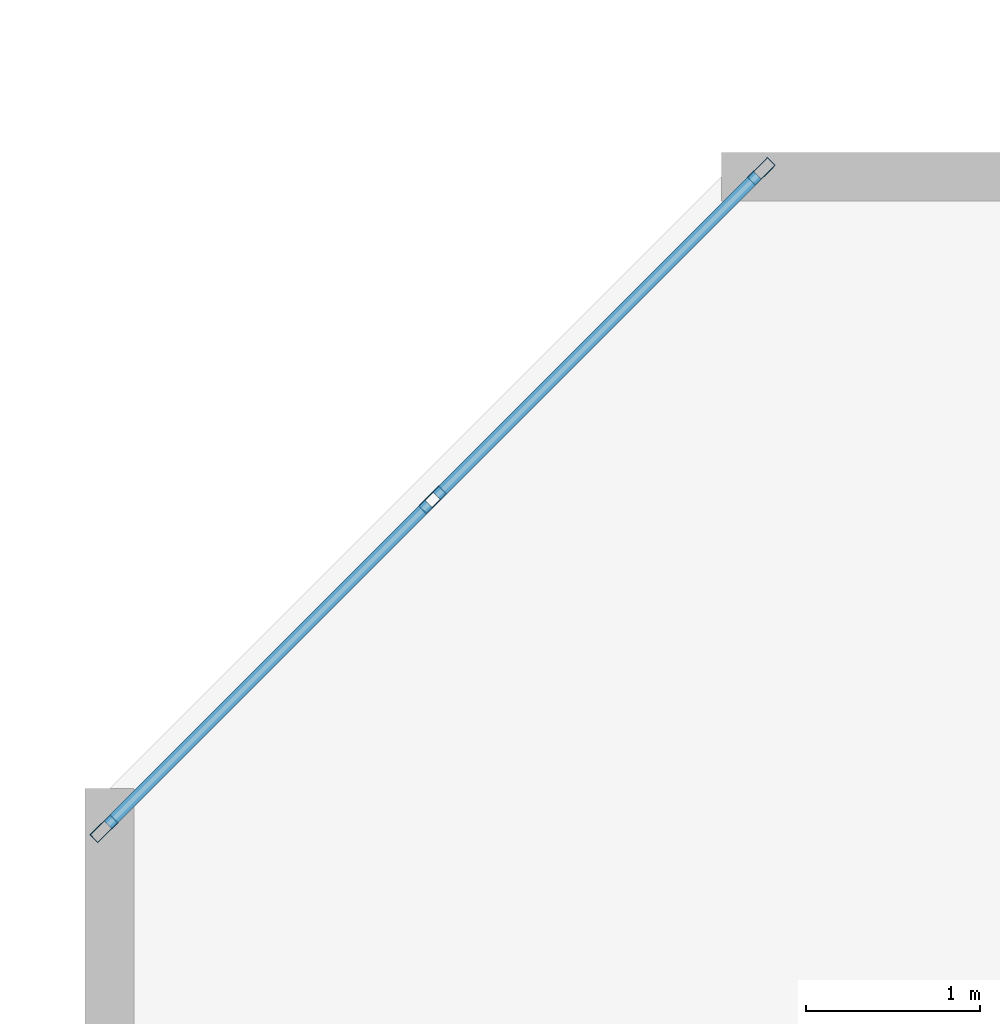
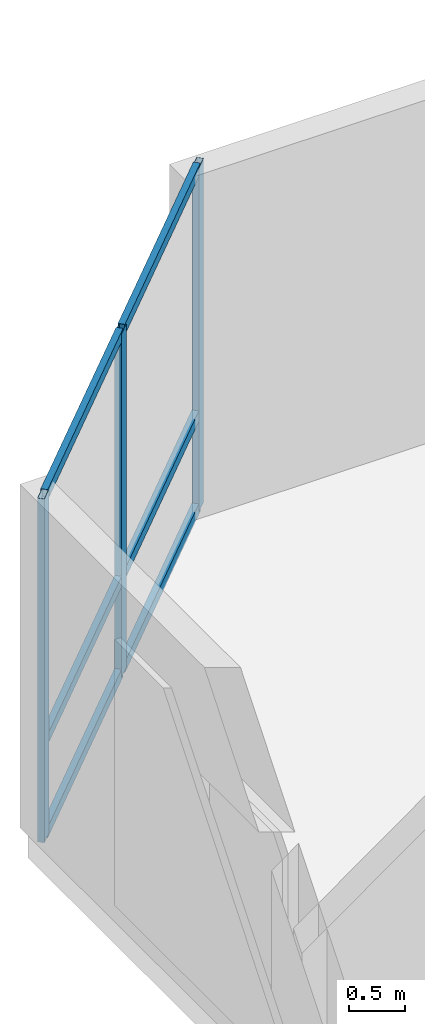
# One storey, part 2 of 10: 9 members, 1 element without a shape of its own.
"""IFC4 building model written with IfcOpenShell, lengths in metres."""

import ifcopenshell
import ifcopenshell.guid

model = None  # the IFC model being written
_history = None  # IfcOwnerHistory: only IFC2X3 demands one
_inside = {}  # id of a spatial element -> (the spatial element, [elements in it])
_under = {}  # id of a project, library or spatial element -> (it, [spatial elements below it])
_declared = {}  # id of a project -> (the project, [libraries it declares])
_typed = {}  # id of a type object -> (the type object, [elements of that type])
_made_of = {}  # id of a material, layer set ... -> (it, [elements and type objects made of it])


def new_model(schema):
    """Start an empty IFC model of exactly this schema.

    Asked for "IFC4X3", IfcOpenShell would pick the latest addendum, in which some entities
    have other attributes; the version numbers below select the first issue.
    IFC2X3 requires an IfcOwnerHistory on every rooted entity: one is made here for all.
    """
    global model, _history
    if schema == "IFC4X3":
        model = ifcopenshell.file(schema_version=(4, 3, 0, 0))
    else:
        model = ifcopenshell.file(schema=schema)
    _inside.clear()
    _under.clear()
    _declared.clear()
    _typed.clear()
    _made_of.clear()
    _history = None
    if model.schema == "IFC2X3":
        org = make("IfcOrganization", Name="unknown")
        user = make(
            "IfcPersonAndOrganization",
            ThePerson=make("IfcPerson", FamilyName="unknown"),
            TheOrganization=org,
        )
        app = make(
            "IfcApplication",
            ApplicationDeveloper=org,
            Version="unknown",
            ApplicationFullName="unknown",
            ApplicationIdentifier="unknown",
        )
        _history = make(
            "IfcOwnerHistory",
            OwningUser=user,
            OwningApplication=app,
            ChangeAction="ADDED",
            CreationDate=0,
        )
    return model


def make(cls, **values):
    """One entity of the class cls with the attributes given. An attribute that is None is left unset."""
    return model.create_entity(
        cls, **{name: value for name, value in values.items() if value is not None}
    )


def rooted(cls, **values):
    """An entity with a GlobalId (a new one), such as an element, a storey or a relation."""
    return make(cls, GlobalId=ifcopenshell.guid.new(), OwnerHistory=_history, **values)


def si_unit(unit_type, name, prefix=None):
    """IfcSIUnit, for example si_unit("LENGTHUNIT", "METRE", prefix="MILLI")."""
    return make("IfcSIUnit", UnitType=unit_type, Prefix=prefix, Name=name)


def assignment(units):
    """IfcUnitAssignment: the units of a project."""
    return None if units is None else make("IfcUnitAssignment", Units=units)


def point(xyz):
    """IfcCartesianPoint."""
    return None if xyz is None else make("IfcCartesianPoint", Coordinates=xyz)


def direction(xyz):
    """IfcDirection."""
    return None if xyz is None else make("IfcDirection", DirectionRatios=xyz)


def frame(location, z_axis=None, x_axis=None):
    """IfcAxis2Placement3D, a coordinate frame: its origin and axes. An axis left out is left unset."""
    return make(
        "IfcAxis2Placement3D",
        Location=point(location),
        Axis=direction(z_axis),
        RefDirection=direction(x_axis),
    )


def frame_2d(location, x_axis=None):
    """IfcAxis2Placement2D, a coordinate frame in the plane: its origin and x axis."""
    return make(
        "IfcAxis2Placement2D", Location=point(location), RefDirection=direction(x_axis)
    )


def origin():
    """The frame at (0, 0, 0) with its axes left unset."""
    return frame((0.0, 0.0, 0.0))


def origin_2d():
    """The frame at (0, 0) in the plane with its x axis left unset."""
    return frame_2d((0.0, 0.0))


def place(relative_to, where):
    """IfcLocalPlacement: puts the frame where relative to a parent placement (None: the world)."""
    return make(
        "IfcLocalPlacement", PlacementRelTo=relative_to, RelativePlacement=where
    )


def context(
    kind, dimensions, precision=None, world=None, true_north=None, identifier=None
):
    """IfcGeometricRepresentationContext, for example the 3D "Model" context."""
    return make(
        "IfcGeometricRepresentationContext",
        ContextIdentifier=identifier,
        ContextType=kind,
        CoordinateSpaceDimension=dimensions,
        Precision=precision,
        WorldCoordinateSystem=world,
        TrueNorth=true_north,
    )


def subcontext(parent, identifier, kind, view, scale=None):
    """IfcGeometricRepresentationSubContext, for example "Body" below "Model"."""
    return make(
        "IfcGeometricRepresentationSubContext",
        ContextIdentifier=identifier,
        ContextType=kind,
        ParentContext=parent,
        TargetScale=scale,
        TargetView=view,
    )


def project(units=None, contexts=None):
    """IfcProject with its units and contexts."""
    return rooted(
        "IfcProject",
        Name="project",
        RepresentationContexts=contexts,
        UnitsInContext=assignment(units),
    )


def spatial(cls, under=None, at=None, **own):
    """A site, building, storey or space (cls), placed at a placement, below another one or the project."""
    s = rooted(cls, ObjectPlacement=at, **own)
    if under is not None:
        _under.setdefault(under.id(), (under, []))[1].append(s)
    return s


def profile(cls, at=None, kind="AREA", **sizes):
    """A parametric profile (cls). Its sizes go by their IFC names, for example OverallWidth=200.0."""
    return make(cls, ProfileType=kind, Position=at, **sizes)


def hollow_rectangle(**sizes):
    """IfcRectangleHollowProfileDef."""
    return profile("IfcRectangleHollowProfileDef", **sizes)


def extrude(swept, where, along, depth):
    """IfcExtrudedAreaSolid: the profile swept, set in the frame where, extruded along a direction by depth."""
    return make(
        "IfcExtrudedAreaSolid",
        SweptArea=swept,
        Position=where,
        ExtrudedDirection=direction(along),
        Depth=depth,
    )


def shape(context_of_items, identifier, shape_type, items):
    """IfcShapeRepresentation: the items that make up one representation, for example the "Body"."""
    return make(
        "IfcShapeRepresentation",
        ContextOfItems=context_of_items,
        RepresentationIdentifier=identifier,
        RepresentationType=shape_type,
        Items=items,
    )


def material(Name=None, Category=None):
    """IfcMaterial."""
    return make("IfcMaterial", Name=Name, Category=Category)


def layer(
    of_material, thickness, ventilated=None, Name=None, Category=None, Priority=None
):
    """IfcMaterialLayer: one layer of a wall or slab, of a material (None: an air gap)."""
    return make(
        "IfcMaterialLayer",
        Material=of_material,
        LayerThickness=thickness,
        IsVentilated=ventilated,
        Name=Name,
        Category=Category,
        Priority=Priority,
    )


def layer_set(layers, Name=None):
    """IfcMaterialLayerSet."""
    return make("IfcMaterialLayerSet", MaterialLayers=layers, LayerSetName=Name)


def material_profile(
    of_material, cross_section, Name=None, Category=None, Priority=None
):
    """IfcMaterialProfile: a cross section and its material."""
    return make(
        "IfcMaterialProfile",
        Name=Name,
        Material=of_material,
        Profile=cross_section,
        Priority=Priority,
        Category=Category,
    )


def profile_set(profiles, Name=None, composite=None):
    """IfcMaterialProfileSet."""
    return make(
        "IfcMaterialProfileSet",
        Name=Name,
        MaterialProfiles=profiles,
        CompositeProfile=composite,
    )


def made_of(thing, what):
    """Note that an element or type object is made of a material, layer set ...; save() writes the relation."""
    if what is not None:
        _made_of.setdefault(what.id(), (what, []))[1].append(thing)
    return thing


def type_object(cls, material=None, **own):
    """A type object (cls), such as IfcWallType, which elements share."""
    return made_of(rooted(cls, **own), material)


def element(
    cls,
    number,
    at=None,
    inside=None,
    cuts=None,
    type_object=None,
    material=None,
    context=None,
    identifier="Body",
    shape_type=None,
    held_by="IfcProductDefinitionShape",
    body=None,
    shapes=None,
    **own,
):
    """One element of the class cls, such as IfcWall. Its Tag is "e" and its number.

    at: its placement. inside: the storey or other place that contains it. cuts: it is an
    opening in that element (IfcRelVoidsElement). A single representation is given by context,
    identifier, shape_type and body (its items); several are given by shapes. held_by: the class
    of the entity that holds the representations. save() writes the other relations.
    """
    e = rooted(cls, Tag="e%d" % number, ObjectPlacement=at, **own)
    if body is not None:
        shapes = [shape(context, identifier, shape_type, body)]
    if shapes is not None:
        e.Representation = make(held_by, Representations=shapes)
    if inside is not None:
        _inside.setdefault(inside.id(), (inside, []))[1].append(e)
    if cuts is not None:
        rooted(
            "IfcRelVoidsElement", RelatingBuildingElement=cuts, RelatedOpeningElement=e
        )
    if type_object is not None:
        _typed.setdefault(type_object.id(), (type_object, []))[1].append(e)
    return made_of(e, material)


def aggregate(whole, parts):
    """IfcRelAggregates: a whole, such as a stair, and the parts it consists of."""
    return rooted("IfcRelAggregates", RelatingObject=whole, RelatedObjects=parts)


def save(model, path):
    """Write the relations noted so far, then the file.

    IfcRelAggregates (storeys below a building ...), IfcRelContainedInSpatialStructure (elements
    in a storey), IfcRelDefinesByType, IfcRelAssociatesMaterial and IfcRelDeclares: one each for
    every whole, place, type object, material and project.
    """
    for whole, parts in _under.values():
        aggregate(whole, parts)
    for where, things in _inside.values():
        rooted(
            "IfcRelContainedInSpatialStructure",
            RelatedElements=things,
            RelatingStructure=where,
        )
    for kind, things in _typed.values():
        rooted("IfcRelDefinesByType", RelatedObjects=things, RelatingType=kind)
    for what, things in _made_of.values():
        rooted("IfcRelAssociatesMaterial", RelatedObjects=things, RelatingMaterial=what)
    for by, libraries in _declared.values():
        rooted("IfcRelDeclares", RelatingContext=by, RelatedDefinitions=libraries)
    model.write(path)


model = new_model("IFC4")

# Units and contexts
model_context = context("Model", 3, precision=1e-05, world=origin(), true_north=direction((0.0, 1.0)))
body_context = subcontext(model_context, "Body", "Model", "MODEL_VIEW")
ifc_project = project(units=[si_unit("LENGTHUNIT", "METRE"), si_unit("AREAUNIT", "SQUARE_METRE"), si_unit("VOLUMEUNIT", "CUBIC_METRE"), si_unit("PLANEANGLEUNIT", "RADIAN"), si_unit("MASSUNIT", "GRAM", prefix="KILO")], contexts=[model_context])

# Site, building, storey
site_placement = place(None, origin())
site = spatial("IfcSite", under=ifc_project, at=site_placement, CompositionType="ELEMENT")
building_placement = place(site_placement, origin())
building = spatial("IfcBuilding", under=site, at=building_placement, Name="Kestravale Grand Hotel", CompositionType="ELEMENT")
storey_placement = place(building_placement, frame((0.0, 0.0, 277.39990234375)))
storey = spatial("IfcBuildingStorey", under=building, at=storey_placement, Name="L69", CompositionType="ELEMENT", Elevation=277.39990234375)

# Curtain wall, members
ifc_material_1 = material(Name="Thermally broken champagne-bronze aluminium and low-E glazing", Category="aluminium")
ifc_layer = layer(ifc_material_1, 0.179931640625)
ifc_layer_set = layer_set([ifc_layer], Name="CW-Z4")
curtain_wall_type = type_object("IfcCurtainWallType", Name="CW-Z4", PredefinedType="NOTDEFINED", material=ifc_layer_set)
curtain_wall_placement = place(storey_placement, origin())
curtain_wall = element("IfcCurtainWall", 1, at=curtain_wall_placement, inside=storey, type_object=curtain_wall_type, Name="L69 unitised curtain wall 18", PredefinedType="NOTDEFINED")
ifc_material_2 = material(Name="Aluminium 6063-T6 anodised", Category="aluminium")
ifc_material_profile_1 = material_profile(ifc_material_2, hollow_rectangle(XDim=0.06494140625, YDim=0.1650390625, WallThickness=0.00341796875, at=origin_2d()))
ifc_profile_set_1 = profile_set([ifc_material_profile_1], Name="Aluminium 6063-T6 anodised")
member_type_1 = type_object("IfcMemberType", Name="CW-MUL-165", PredefinedType="MULLION", material=ifc_profile_set_1)
member_1_placement = place(storey_placement, frame((11.690185546875, 44.59228515625, 0.0), z_axis=(0.0, 0.0, 1.0), x_axis=(0.707106781187, -0.707106781187, 0.0)))
member_1 = element("IfcMember", 2, at=member_1_placement, type_object=member_type_1, Name="CW-Z4 mullion 1", PredefinedType="MULLION", context=body_context, shape_type="SweptSolid", body=[
    extrude(hollow_rectangle(XDim=0.06494140625, YDim=0.1650390625, WallThickness=0.00341796875, at=origin_2d()), origin(), (0.0, 0.0, 1.0), 3.760009765625),
])
member_2_placement = place(storey_placement, frame((9.799072265625, 42.700927734375, 0.0), z_axis=(0.0, 0.0, 1.0), x_axis=(0.707106781187, -0.707106781187, 0.0)))
member_2 = element("IfcMember", 3, at=member_2_placement, type_object=member_type_1, Name="CW-Z4 mullion 2", PredefinedType="MULLION", context=body_context, shape_type="SweptSolid", body=[
    extrude(hollow_rectangle(XDim=0.06494140625, YDim=0.1650390625, WallThickness=0.00341796875, at=origin_2d()), origin(), (0.0, 0.0, 1.0), 3.760009765625),
])
member_3_placement = place(storey_placement, frame((7.90771484375, 40.809814453125, 0.0), z_axis=(0.0, 0.0, 1.0), x_axis=(0.707106781187, -0.707106781187, 0.0)))
member_3 = element("IfcMember", 4, at=member_3_placement, type_object=member_type_1, Name="CW-Z4 mullion 3", PredefinedType="MULLION", context=body_context, shape_type="SweptSolid", body=[
    extrude(hollow_rectangle(XDim=0.06494140625, YDim=0.1650390625, WallThickness=0.00341796875, at=origin_2d()), origin(), (0.0, 0.0, 1.0), 3.760009765625),
])
ifc_material_3 = material(Name="Aluminium 6063-T6 anodised", Category="aluminium")
ifc_material_profile_2 = material_profile(ifc_material_3, hollow_rectangle(XDim=0.06494140625, YDim=0.114990234375, WallThickness=0.003173828125, at=origin_2d()))
ifc_profile_set_2 = profile_set([ifc_material_profile_2], Name="Aluminium 6063-T6 anodised")
member_type_2 = type_object("IfcMemberType", Name="CW-TRN-115", PredefinedType="USERDEFINED", material=ifc_profile_set_2)
member_4_placement = place(storey_placement, frame((11.667236328125, 44.5693359375, 0.03271484375), z_axis=(-0.707060004037, -0.707153555242, 0.0), x_axis=(0.707153555242, -0.707060004037, 0.0)))
member_4 = element("IfcMember", 5, at=member_4_placement, type_object=member_type_2, Name="CW-Z4 transom 1.1", ObjectType="TRANSOM", PredefinedType="USERDEFINED", context=body_context, shape_type="SweptSolid", body=[
    extrude(hollow_rectangle(XDim=0.06494140625, YDim=0.114990234375, WallThickness=0.003173828125, at=origin_2d()), origin(), (0.0, 0.0, 1.0), 2.609619140625),
])
member_5_placement = place(storey_placement, frame((11.667236328125, 44.5693359375, 1.050048828125), z_axis=(-0.707060004037, -0.707153555242, 0.0), x_axis=(0.707153555242, -0.707060004037, 0.0)))
member_5 = element("IfcMember", 6, at=member_5_placement, type_object=member_type_2, Name="CW-Z4 transom 1.2", ObjectType="TRANSOM", PredefinedType="USERDEFINED", context=body_context, shape_type="SweptSolid", body=[
    extrude(hollow_rectangle(XDim=0.06494140625, YDim=0.114990234375, WallThickness=0.003173828125, at=origin_2d()), origin(), (0.0, 0.0, 1.0), 2.609619140625),
])
member_6_placement = place(storey_placement, frame((11.667236328125, 44.5693359375, 3.7275390625), z_axis=(-0.707060004037, -0.707153555242, 0.0), x_axis=(0.707153555242, -0.707060004037, 0.0)))
member_6 = element("IfcMember", 7, at=member_6_placement, type_object=member_type_2, Name="CW-Z4 transom 1.3", ObjectType="TRANSOM", PredefinedType="USERDEFINED", context=body_context, shape_type="SweptSolid", body=[
    extrude(hollow_rectangle(XDim=0.06494140625, YDim=0.114990234375, WallThickness=0.003173828125, at=origin_2d()), origin(), (0.0, 0.0, 1.0), 2.609619140625),
])
member_7_placement = place(storey_placement, frame((9.776123046875, 42.677978515625, 0.03271484375), z_axis=(-0.707153555242, -0.707060004037, 0.0), x_axis=(0.707060004037, -0.707153555242, 0.0)))
member_7 = element("IfcMember", 8, at=member_7_placement, type_object=member_type_2, Name="CW-Z4 transom 2.1", ObjectType="TRANSOM", PredefinedType="USERDEFINED", context=body_context, shape_type="SweptSolid", body=[
    extrude(hollow_rectangle(XDim=0.06494140625, YDim=0.114990234375, WallThickness=0.003173828125, at=origin_2d()), origin(), (0.0, 0.0, 1.0), 2.609619140625),
])
member_8_placement = place(storey_placement, frame((9.776123046875, 42.677978515625, 1.050048828125), z_axis=(-0.707153555242, -0.707060004037, 0.0), x_axis=(0.707060004037, -0.707153555242, 0.0)))
member_8 = element("IfcMember", 9, at=member_8_placement, type_object=member_type_2, Name="CW-Z4 transom 2.2", ObjectType="TRANSOM", PredefinedType="USERDEFINED", context=body_context, shape_type="SweptSolid", body=[
    extrude(hollow_rectangle(XDim=0.06494140625, YDim=0.114990234375, WallThickness=0.003173828125, at=origin_2d()), origin(), (0.0, 0.0, 1.0), 2.609619140625),
])
member_9_placement = place(storey_placement, frame((9.776123046875, 42.677978515625, 3.7275390625), z_axis=(-0.707153555242, -0.707060004037, 0.0), x_axis=(0.707060004037, -0.707153555242, 0.0)))
member_9 = element("IfcMember", 10, at=member_9_placement, type_object=member_type_2, Name="CW-Z4 transom 2.3", ObjectType="TRANSOM", PredefinedType="USERDEFINED", context=body_context, shape_type="SweptSolid", body=[
    extrude(hollow_rectangle(XDim=0.06494140625, YDim=0.114990234375, WallThickness=0.003173828125, at=origin_2d()), origin(), (0.0, 0.0, 1.0), 2.609619140625),
])
aggregate(curtain_wall, [member_1, member_2, member_3, member_4, member_5, member_6, member_7, member_8, member_9])

save(model, "model.ifc")
